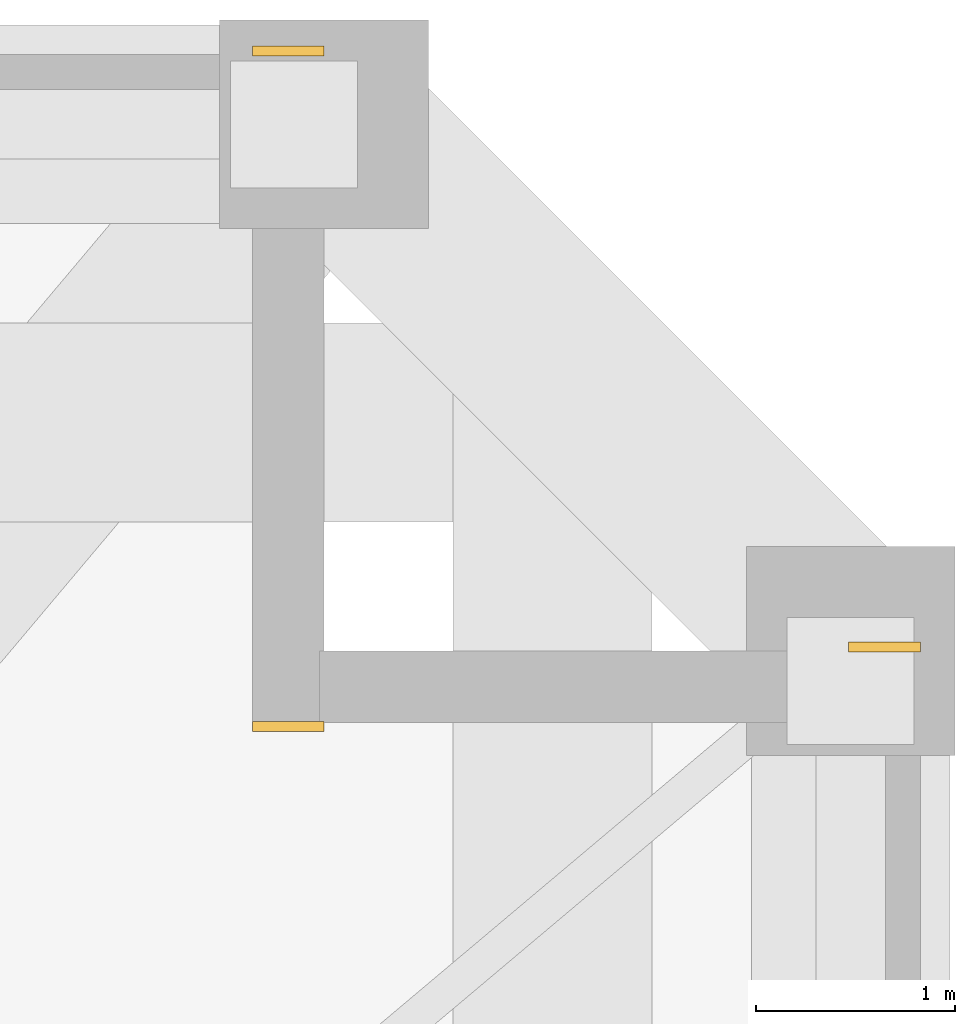
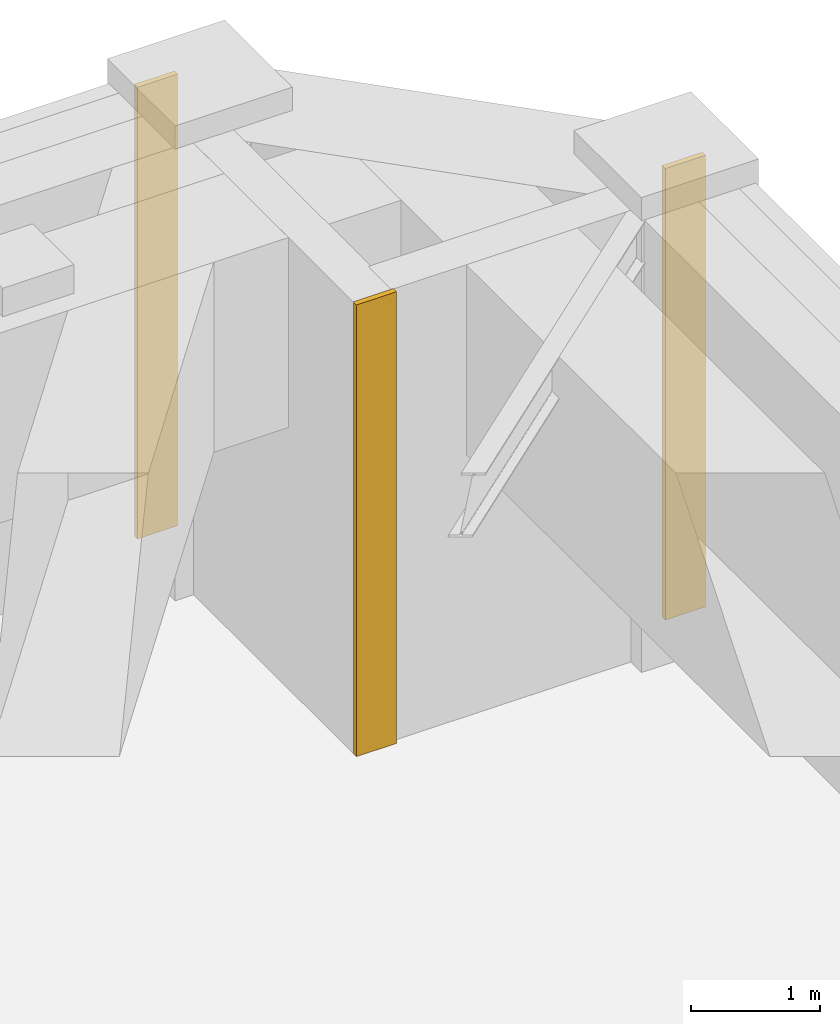
# One storey, part 13 of 13: 3 coverings.
"""IFC4 building model written with IfcOpenShell, lengths in metres."""

from ifc_helpers import new_model, si_unit, direction, frame, frame_2d, origin, place, context, subcontext, project, spatial, rectangle, extrude, material, layer, layer_set, type_object, element, save


model = new_model("IFC4")

# Units and contexts
model_context = context("Model", 3, precision=1e-05, world=origin(), true_north=direction((0.0, 1.0)))
body_context = subcontext(model_context, "Body", "Model", "MODEL_VIEW")
ifc_project = project(units=[si_unit("LENGTHUNIT", "METRE"), si_unit("AREAUNIT", "SQUARE_METRE"), si_unit("VOLUMEUNIT", "CUBIC_METRE"), si_unit("PLANEANGLEUNIT", "RADIAN"), si_unit("MASSUNIT", "GRAM", prefix="KILO")], contexts=[model_context])

# Site, building, storey
site_placement = place(None, origin())
site = spatial("IfcSite", under=ifc_project, at=site_placement, CompositionType="ELEMENT")
building_placement = place(site_placement, origin())
building = spatial("IfcBuilding", under=site, at=building_placement, Name="Cairnveth Concourse Tower", CompositionType="ELEMENT")
storey_placement = place(building_placement, frame((0.0, 0.0, 97.0)))
storey = spatial("IfcBuildingStorey", under=building, at=storey_placement, Name="L26", CompositionType="ELEMENT", Elevation=97.0)

# Coverings
ifc_material = material(Name="Dressed Melbourne Bluestone Cladding", Category="masonry")
ifc_layer = layer(ifc_material, 0.050048828125)
ifc_layer_set = layer_set([ifc_layer], Name="Dressed Melbourne Bluestone Cladding")
covering_type = type_object("IfcCoveringType", Name="DRESSED BLUESTONE PLINTH CLADDING 50", PredefinedType="CLADDING", material=ifc_layer_set)
for number, where, z_axis, x_axis, name in (
    (1, (74.139892578125, 64.52001953125, 0.0), (0.0, 0.0, 1.0), (1.0, 0.0, 0.0), "Melbourne Bluestone Corner Quoin L26-365"),
    (2, (74.139892578125, 61.1201171875, 0.0), (0.0, 0.0, 1.0), (1.0, 0.0, 0.0), "Melbourne Bluestone Corner Quoin L26-366"),
    (3, (77.139892578125, 61.52001953125, 0.0), (0.0, 0.0, 1.0), (1.0, 0.0, 0.0), "Melbourne Bluestone Corner Quoin L26-367"),
):
    element("IfcCovering", number, at=place(storey_placement, frame(where, z_axis=z_axis, x_axis=x_axis)), inside=storey, type_object=covering_type, Name=name, PredefinedType="CLADDING", context=body_context, shape_type="SweptSolid", body=[
        extrude(rectangle(XDim=0.360107421875, YDim=0.050048828125, at=frame_2d((0.18017578125, 0.0))), origin(), (0.0, 0.0, 1.0), 4.280029296875),
    ])

save(model, "model.ifc")
